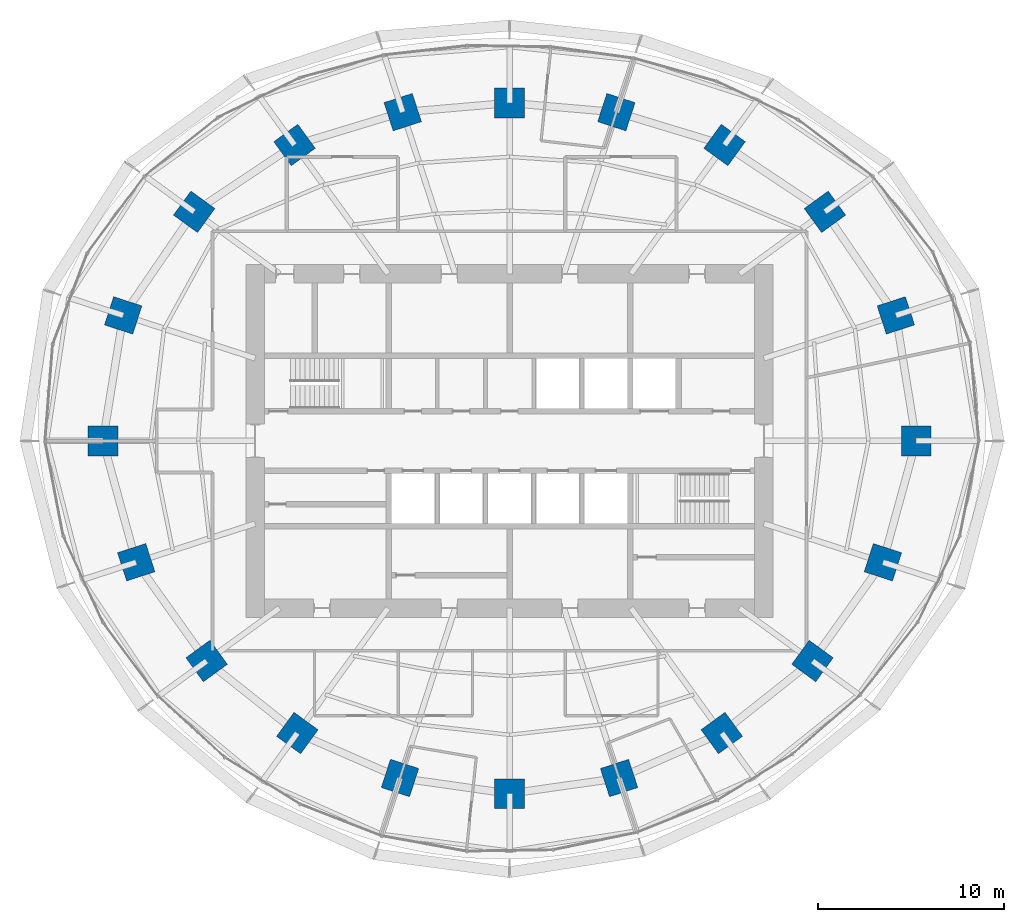
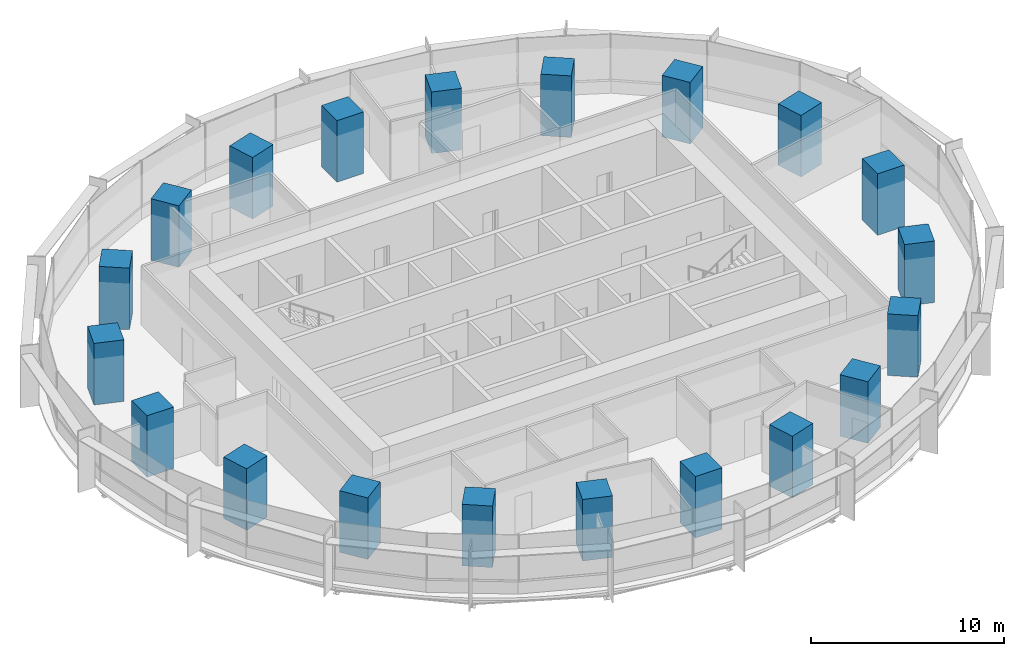
# One storey, part 1 of 14: 20 columns.
"""IFC4 building model written with IfcOpenShell, lengths in metres."""

from ifc_helpers import new_model, si_unit, direction, frame, origin, origin_2d, place, context, subcontext, project, spatial, rectangle, extrude, material, material_profile, profile_set, type_object, element, save


model = new_model("IFC4")

# Units and contexts
model_context = context("Model", 3, precision=1e-05, world=origin(), true_north=direction((0.0, 1.0)))
body_context = subcontext(model_context, "Body", "Model", "MODEL_VIEW")
ifc_project = project(units=[si_unit("LENGTHUNIT", "METRE"), si_unit("AREAUNIT", "SQUARE_METRE"), si_unit("VOLUMEUNIT", "CUBIC_METRE"), si_unit("PLANEANGLEUNIT", "RADIAN"), si_unit("MASSUNIT", "GRAM", prefix="KILO")], contexts=[model_context])

# Site, building, storey
site_placement = place(None, origin())
site = spatial("IfcSite", under=ifc_project, at=site_placement, CompositionType="ELEMENT")
building_placement = place(site_placement, origin())
building = spatial("IfcBuilding", under=site, at=building_placement, Name="Marramba Exchange Tower", CompositionType="ELEMENT")
storey_placement = place(building_placement, frame((0.0, 0.0, 108.0)))
storey = spatial("IfcBuildingStorey", under=building, at=storey_placement, Name="L25", CompositionType="ELEMENT", Elevation=108.0)

# Columns
ifc_material = material(Name="Concrete N50", Category="concrete")
ifc_material_profile = material_profile(ifc_material, rectangle(XDim=1.60009765625, YDim=1.60009765625, at=origin_2d()), Name="RC 1600x1600")
ifc_profile_set = profile_set([ifc_material_profile], Name="Concrete N50")
column_type = type_object("IfcColumnType", Name="Perimeter column RC 1600x1600 N50", PredefinedType="COLUMN", material=ifc_profile_set)
for number, where, z_axis, x_axis, name in (
    (1, (21.89990234375, 0.0, 0.0), (0.0, 0.0, 1.0), (1.0, 0.0, 0.0), "Column TC01 L25"),
    (2, (20.808349609375, 6.760986328125, 0.0), (0.0, 0.0, 1.0), (0.951056516295, 0.309016994375, 0.0), "Column TC02 L25"),
    (3, (16.98583984375, 12.3408203125, 0.0), (0.0, 0.0, 1.0), (0.809016994375, 0.587785252292, 0.0), "Column TC03 L25"),
    (4, (11.581298828125, 15.9404296875, 0.0), (0.0, 0.0, 1.0), (0.587785252292, 0.809016994375, 0.0), "Column TC04 L25"),
    (5, (5.75390625, 17.70849609375, 0.0), (0.0, 0.0, 1.0), (0.309016994375, 0.951056516295, 0.0), "Column TC05 L25"),
    (6, (0.0, 18.2041015625, 0.0), (0.0, 0.0, 1.0), (0.0, 1.0, 0.0), "Column TC06 L25"),
    (7, (-5.75390625, 17.70849609375, 0.0), (0.0, 0.0, 1.0), (-0.309016994375, 0.951056516295, 0.0), "Column TC07 L25"),
    (8, (-11.581298828125, 15.9404296875, 0.0), (0.0, 0.0, 1.0), (-0.587785252292, 0.809016994375, 0.0), "Column TC08 L25"),
    (9, (-16.98583984375, 12.3408203125, 0.0), (0.0, 0.0, 1.0), (-0.809016994375, 0.587785252292, 0.0), "Column TC09 L25"),
    (10, (-20.808349609375, 6.760986328125, 0.0), (0.0, 0.0, 1.0), (-0.951056516295, 0.309016994375, 0.0), "Column TC10 L25"),
    (11, (-21.89990234375, 0.0, 0.0), (0.0, 0.0, 1.0), (-1.0, 0.0, 0.0), "Column TC11 L25"),
    (12, (-20.109375, -6.533935546875, 0.0), (0.0, 0.0, 1.0), (-0.951056516295, -0.309016994375, 0.0), "Column TC12 L25"),
    (13, (-16.3154296875, -11.853759765625, 0.0), (0.0, 0.0, 1.0), (-0.809016994375, -0.587785252292, 0.0), "Column TC13 L25"),
    (14, (-11.430419921875, -15.732666015625, 0.0), (0.0, 0.0, 1.0), (-0.587785252292, -0.809016994375, 0.0), "Column TC14 L25"),
    (15, (-5.899658203125, -18.156982421875, 0.0), (0.0, 0.0, 1.0), (-0.309016994375, -0.951056516295, 0.0), "Column TC15 L25"),
    (16, (0.0, -18.99609375, 0.0), (0.0, 0.0, 1.0), (0.0, -1.0, 0.0), "Column TC16 L25"),
    (17, (5.899658203125, -18.156982421875, 0.0), (0.0, 0.0, 1.0), (0.309016994375, -0.951056516295, 0.0), "Column TC17 L25"),
    (18, (11.430419921875, -15.732666015625, 0.0), (0.0, 0.0, 1.0), (0.587785252292, -0.809016994375, 0.0), "Column TC18 L25"),
    (19, (16.3154296875, -11.853759765625, 0.0), (0.0, 0.0, 1.0), (0.809016994375, -0.587785252292, 0.0), "Column TC19 L25"),
    (20, (20.109375, -6.533935546875, 0.0), (0.0, 0.0, 1.0), (0.951056516295, -0.309016994375, 0.0), "Column TC20 L25"),
):
    element("IfcColumn", number, at=place(storey_placement, frame(where, z_axis=z_axis, x_axis=x_axis)), inside=storey, type_object=column_type, Name=name, PredefinedType="COLUMN", context=body_context, shape_type="SweptSolid", body=[
        extrude(rectangle(XDim=1.60009765625, YDim=1.60009765625, at=origin_2d()), origin(), (0.0, 0.0, 1.0), 3.89990234375),
    ])

save(model, "model.ifc")
